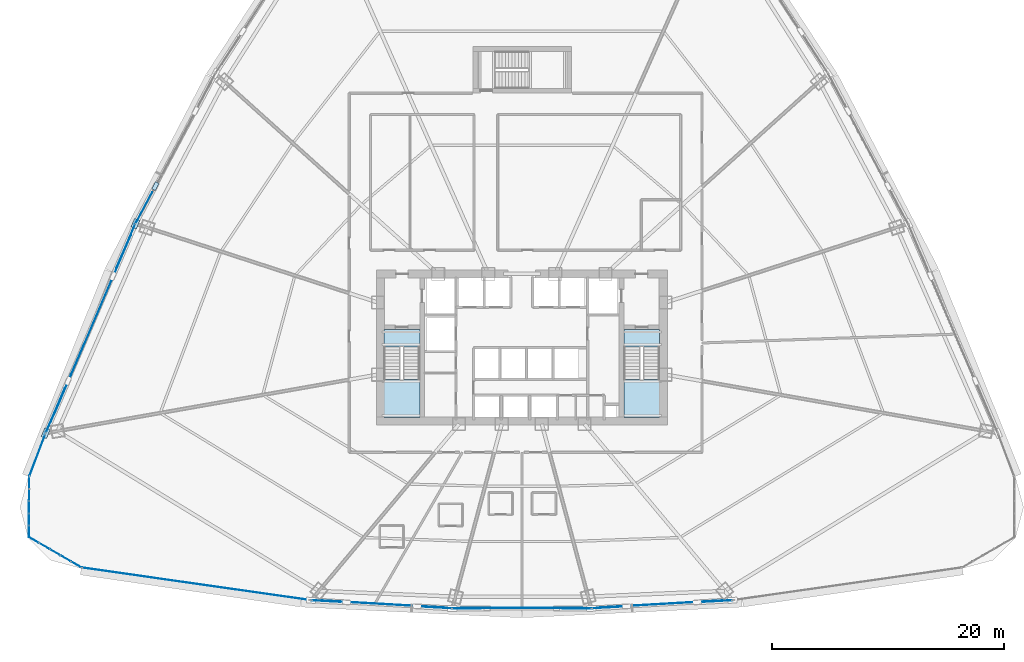
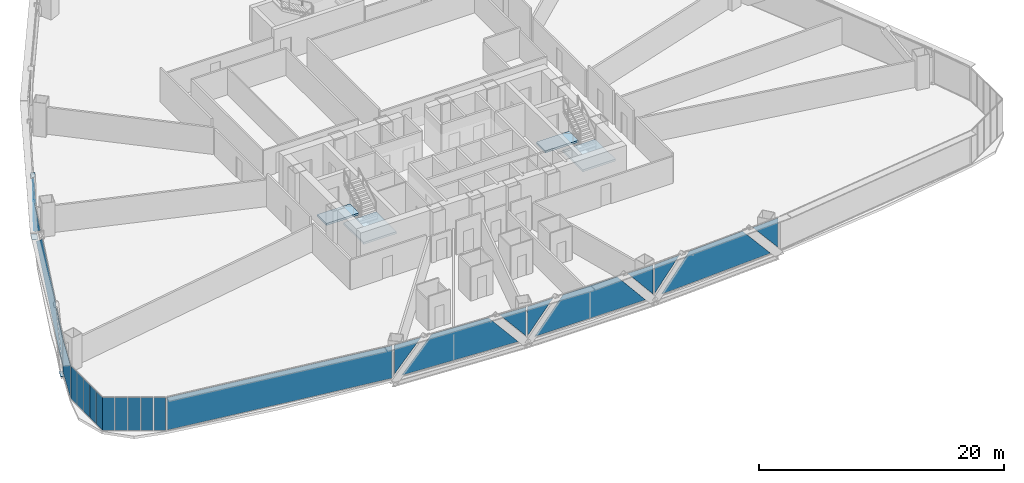
# One storey, part 29 of 41: 28 plates, 4 slabs, 11 elements without a shape of their own.
"""IFC4 building model written with IfcOpenShell, lengths in metres."""

from ifc_helpers import new_model, si_unit, direction, frame, origin, origin_2d, place, context, subcontext, project, spatial, polyline, rectangle, outline, extrude, source, transform, mapped, material, layer, layer_set, type_object, element, aggregate, save


model = new_model("IFC4")

# Units and contexts
model_context = context("Model", 3, precision=1e-05, world=origin(), true_north=direction((0.0, 1.0)))
body_context = subcontext(model_context, "Body", "Model", "MODEL_VIEW")
ifc_project = project(units=[si_unit("LENGTHUNIT", "METRE"), si_unit("AREAUNIT", "SQUARE_METRE"), si_unit("VOLUMEUNIT", "CUBIC_METRE"), si_unit("PLANEANGLEUNIT", "RADIAN"), si_unit("MASSUNIT", "GRAM", prefix="KILO"), si_unit("THERMODYNAMICTEMPERATUREUNIT", "KELVIN"), si_unit("POWERUNIT", "WATT")], contexts=[model_context])

# Site, building, storey
site_placement = place(None, origin())
site = spatial("IfcSite", under=ifc_project, at=site_placement, CompositionType="ELEMENT")
building_placement = place(site_placement, origin())
building = spatial("IfcBuilding", under=site, at=building_placement, Name="Yunzhuo Pagoda Commons", CompositionType="ELEMENT")
storey_placement = place(building_placement, frame((0.0, 0.0, 63.070068359375)))
storey = spatial("IfcBuildingStorey", under=building, at=storey_placement, Name="L16", CompositionType="ELEMENT", Elevation=63.070068359375)

# Curtain wall, plates
ifc_material_1 = material(Name="Anodized aluminium 6063-T6", Category="aluminium")
ifc_layer_1 = layer(ifc_material_1, 0.1650390625)
ifc_layer_set_1 = layer_set([ifc_layer_1], Name="Anodized aluminium 6063-T6")
curtain_wall_type_1 = type_object("IfcCurtainWallType", Name="CW-LOW Low-Zone Ribbon Curtain Wall", PredefinedType="NOTDEFINED", material=ifc_layer_set_1)
curtain_wall_1_placement = place(storey_placement, origin())
curtain_wall_1 = element("IfcCurtainWall", 1, at=curtain_wall_1_placement, inside=storey, type_object=curtain_wall_type_1, Name="L16 curtain wall CW-L16-F1B2", PredefinedType="NOTDEFINED")
ifc_material_2 = material(Name="Tempered low-e double glazing", Category="glass")
ifc_layer_2 = layer(ifc_material_2, 0.028076171875)
ifc_layer_set_2 = layer_set([ifc_layer_2], Name="Tempered low-e double glazing")
plate_type_1 = type_object("IfcPlateType", Name="CW-LOW-P Low-E Double Glazing 28", PredefinedType="CURTAIN_PANEL", material=ifc_layer_set_2)
plate_1_placement = place(storey_placement, frame((31.108154296875, 11.97998046875, 1.85888671875), z_axis=(-0.057542190557, -0.998343075454, 0.0), x_axis=(0.998343075454, -0.057542190557, 0.0)))
plate_1 = element("IfcPlate", 2, at=plate_1_placement, type_object=plate_type_1, Name="CW panel 1.1 lite 1", PredefinedType="CURTAIN_PANEL", context=body_context, shape_type="SweptSolid", body=[
    extrude(outline(polyline([(-1.219482421875, -1.450927734375), (1.219482421875, 1.450927734375), (-1.219482421875, 1.450927734375), (-1.219482421875, -1.450927734375)])), origin(), (0.0, 0.0, 1.0), 0.028076171875),
])
plate_2_placement = place(storey_placement, frame((35.9189453125, 11.73291015625, 1.684814453125), z_axis=(-0.057542190557, -0.998343075454, 0.0), x_axis=(0.998343075454, -0.057542190557, 0.0)))
plate_2 = element("IfcPlate", 3, at=plate_2_placement, type_object=plate_type_1, Name="CW panel 1.1 lite 2", PredefinedType="CURTAIN_PANEL", context=body_context, shape_type="SweptSolid", body=[
    extrude(outline(polyline([(-5.336181640625, -1.625), (5.336181640625, -1.625), (2.60498046875, 1.625), (-2.60498046875, 1.625), (-5.336181640625, -1.625)])), origin(), (0.0, 0.0, 1.0), 0.028076171875),
])
plate_3_placement = place(storey_placement, frame((40.7265625, 11.425537109375, 1.85888671875), z_axis=(-0.057542190557, -0.998343075454, 0.0), x_axis=(0.998343075454, -0.057542190557, 0.0)))
plate_3 = element("IfcPlate", 4, at=plate_3_placement, type_object=plate_type_1, Name="CW panel 1.1 lite 3", PredefinedType="CURTAIN_PANEL", context=body_context, shape_type="SweptSolid", body=[
    extrude(outline(polyline([(-1.219482421875, 1.450927734375), (1.219482421875, -1.450927734375), (1.219482421875, 1.450927734375), (-1.219482421875, 1.450927734375)])), origin(), (0.0, 0.0, 1.0), 0.028076171875),
])
aggregate(curtain_wall_1, [plate_1, plate_2, plate_3])

curtain_wall_2_placement = place(storey_placement, origin())
curtain_wall_2 = element("IfcCurtainWall", 5, at=curtain_wall_2_placement, inside=storey, type_object=curtain_wall_type_1, Name="L16 curtain wall CW-L16-F1B3", PredefinedType="NOTDEFINED")
plate_4_placement = place(storey_placement, frame((43.267333984375, 11.35205078125, 1.86279296875), z_axis=(0.0, -1.0, 0.0), x_axis=(1.0, 0.0, 0.0)))
plate_4 = element("IfcPlate", 6, at=plate_4_placement, type_object=plate_type_1, Name="CW panel 1.1 lite 1", PredefinedType="CURTAIN_PANEL", context=body_context, shape_type="SweptSolid", body=[
    extrude(outline(polyline([(-1.1943359375, -1.447265625), (1.1943359375, 1.447021484375), (-1.1943359375, 1.447021484375), (-1.1943359375, -1.447265625)])), origin(), (0.0, 0.0, 1.0), 0.028076171875),
])
plate_5_placement = place(storey_placement, frame((48.0, 11.3818359375, 1.684814453125), z_axis=(0.0, -1.0, 0.0), x_axis=(1.0, 0.0, 0.0)))
plate_5 = element("IfcPlate", 7, at=plate_5_placement, type_object=plate_type_1, Name="CW panel 1.1 lite 2", PredefinedType="CURTAIN_PANEL", context=body_context, shape_type="SweptSolid", body=[
    extrude(outline(polyline([(-5.235107421875, -1.625), (5.235107421875, -1.625), (2.552734375, 1.625), (-2.552734375, 1.625), (-5.235107421875, -1.625)])), origin(), (0.0, 0.0, 1.0), 0.028076171875),
])
plate_6_placement = place(storey_placement, frame((52.732666015625, 11.35205078125, 1.86279296875), z_axis=(0.0, -1.0, 0.0), x_axis=(1.0, 0.0, 0.0)))
plate_6 = element("IfcPlate", 8, at=plate_6_placement, type_object=plate_type_1, Name="CW panel 1.1 lite 3", PredefinedType="CURTAIN_PANEL", context=body_context, shape_type="SweptSolid", body=[
    extrude(outline(polyline([(-1.1943359375, 1.447021484375), (1.1943359375, -1.447265625), (1.1943359375, 1.447021484375), (-1.1943359375, 1.447021484375)])), origin(), (0.0, 0.0, 1.0), 0.028076171875),
])
aggregate(curtain_wall_2, [plate_4, plate_5, plate_6])

curtain_wall_3_placement = place(storey_placement, origin())
curtain_wall_3 = element("IfcCurtainWall", 9, at=curtain_wall_3_placement, inside=storey, type_object=curtain_wall_type_1, Name="L16 curtain wall CW-L16-F1B4", PredefinedType="NOTDEFINED")
plate_7_placement = place(storey_placement, frame((55.2734375, 11.425537109375, 1.85888671875), z_axis=(0.057542190557, -0.998343075454, 0.0), x_axis=(0.998343075454, 0.057542190557, 0.0)))
plate_7 = element("IfcPlate", 10, at=plate_7_placement, type_object=plate_type_1, Name="CW panel 1.1 lite 1", PredefinedType="CURTAIN_PANEL", context=body_context, shape_type="SweptSolid", body=[
    extrude(outline(polyline([(-1.219482421875, -1.450927734375), (1.219482421875, 1.450927734375), (-1.219482421875, 1.450927734375), (-1.219482421875, -1.450927734375)])), origin(), (0.0, 0.0, 1.0), 0.028076171875),
])
plate_8_placement = place(storey_placement, frame((60.0810546875, 11.73291015625, 1.684814453125), z_axis=(0.057542190557, -0.998343075454, 0.0), x_axis=(0.998343075454, 0.057542190557, 0.0)))
plate_8 = element("IfcPlate", 11, at=plate_8_placement, type_object=plate_type_1, Name="CW panel 1.1 lite 2", PredefinedType="CURTAIN_PANEL", context=body_context, shape_type="SweptSolid", body=[
    extrude(outline(polyline([(-5.336181640625, -1.625), (5.336181640625, -1.625), (2.604736328125, 1.625), (-2.60498046875, 1.625), (-5.336181640625, -1.625)])), origin(), (0.0, 0.0, 1.0), 0.028076171875),
])
plate_9_placement = place(storey_placement, frame((64.891845703125, 11.97998046875, 1.85888671875), z_axis=(0.057542190557, -0.998343075454, 0.0), x_axis=(0.998343075454, 0.057542190557, 0.0)))
plate_9 = element("IfcPlate", 12, at=plate_9_placement, type_object=plate_type_1, Name="CW panel 1.1 lite 3", PredefinedType="CURTAIN_PANEL", context=body_context, shape_type="SweptSolid", body=[
    extrude(outline(polyline([(-1.219482421875, 1.450927734375), (1.219482421875, -1.450927734375), (1.219482421875, 1.450927734375), (-1.219482421875, 1.450927734375)])), origin(), (0.0, 0.0, 1.0), 0.028076171875),
])
aggregate(curtain_wall_3, [plate_7, plate_8, plate_9])

# Curtain wall, plate
curtain_wall_4_placement = place(storey_placement, origin())
curtain_wall_4 = element("IfcCurtainWall", 13, at=curtain_wall_4_placement, inside=storey, type_object=curtain_wall_type_1, Name="L16 curtain wall CW-L16-F3B3", PredefinedType="NOTDEFINED")
plate_10_placement = place(storey_placement, frame((15.41552734375, 45.908447265625, 1.82421875), z_axis=(-0.882636758547, 0.470055690808, 0.0), x_axis=(-0.470055690808, -0.882636758547, 0.0)))
plate_10 = element("IfcPlate", 14, at=plate_10_placement, type_object=plate_type_1, Name="CW panel 1.1 lite 3", PredefinedType="CURTAIN_PANEL", context=body_context, shape_type="SweptSolid", body=[
    extrude(outline(polyline([(-1.503173828125, 1.485595703125), (1.503173828125, -1.48583984375), (1.503173828125, 1.485595703125), (-1.503173828125, 1.485595703125)])), origin(), (0.0, 0.0, 1.0), 0.028076171875),
])
aggregate(curtain_wall_4, [plate_10])

# Curtain wall, plates
curtain_wall_5_placement = place(storey_placement, origin())
curtain_wall_5 = element("IfcCurtainWall", 15, at=curtain_wall_5_placement, inside=storey, type_object=curtain_wall_type_1, Name="L16 curtain wall CW-L16-F3B4", PredefinedType="NOTDEFINED")
plate_11_placement = place(storey_placement, frame((13.839599609375, 42.5673828125, 1.78515625), z_axis=(-0.919121093161, 0.39397514656, 0.0), x_axis=(-0.39397514656, -0.919121093161, 0.0)))
plate_11 = element("IfcPlate", 16, at=plate_11_placement, type_object=plate_type_1, Name="CW panel 1.1 lite 1", PredefinedType="CURTAIN_PANEL", context=body_context, shape_type="SweptSolid", body=[
    extrude(outline(polyline([(-2.065185546875, -1.52490234375), (2.065185546875, 1.52490234375), (-2.065185546875, 1.52490234375), (-2.065185546875, -1.52490234375)])), origin(), (0.0, 0.0, 1.0), 0.028076171875),
])
plate_12_placement = place(storey_placement, frame((10.83251953125, 35.47607421875, 1.684814453125), z_axis=(-0.919121093161, 0.39397514656, 0.0), x_axis=(-0.39397514656, -0.919121093161, 0.0)))
plate_12 = element("IfcPlate", 17, at=plate_12_placement, type_object=plate_type_1, Name="CW panel 1.1 lite 2", PredefinedType="CURTAIN_PANEL", context=body_context, shape_type="SweptSolid", body=[
    extrude(outline(polyline([(-8.759521484375, -1.625), (8.759521484375, -1.625), (4.35791015625, 1.625), (-4.35791015625, 1.625), (-8.759521484375, -1.625)])), origin(), (0.0, 0.0, 1.0), 0.028076171875),
])
plate_13_placement = place(storey_placement, frame((7.7705078125, 28.408447265625, 1.78515625), z_axis=(-0.919121093161, 0.39397514656, 0.0), x_axis=(-0.39397514656, -0.919121093161, 0.0)))
plate_13 = element("IfcPlate", 18, at=plate_13_placement, type_object=plate_type_1, Name="CW panel 1.1 lite 3", PredefinedType="CURTAIN_PANEL", context=body_context, shape_type="SweptSolid", body=[
    extrude(outline(polyline([(-2.065185546875, 1.52490234375), (2.065185546875, -1.52490234375), (2.065185546875, 1.52490234375), (-2.065185546875, 1.52490234375)])), origin(), (0.0, 0.0, 1.0), 0.028076171875),
])
aggregate(curtain_wall_5, [plate_11, plate_12, plate_13])

# Stair, slabs
ifc_material_3 = material(Name="Concrete C40", Category="concrete")
stair_type_1 = type_object("IfcStairType", Name="ST-C1 Core Smokeproof Stair ST1", PredefinedType="HALF_TURN_STAIR", material=ifc_material_3)
stair_1_placement = place(storey_placement, origin())
stair_1 = element("IfcStair", 19, at=stair_1_placement, inside=storey, type_object=stair_type_1, Name="L16 Core smokeproof stair ST1", PredefinedType="HALF_TURN_STAIR")
ifc_layer_3 = layer(ifc_material_3, 0.199951171875)
ifc_layer_set_3 = layer_set([ifc_layer_3], Name="Concrete C40")
slab_type_1 = type_object("IfcSlabType", Name="SL-LND1 Stair Landing Slab 200", PredefinedType="LANDING", material=ifc_layer_set_3)
slab_1_placement = place(storey_placement, frame((0.0, 0.0, 1.614990234375)))
slab_1 = element("IfcSlab", 20, at=slab_1_placement, type_object=slab_type_1, Name="ST1 landing 1", PredefinedType="LANDING", context=body_context, shape_type="SweptSolid", body=[
    extrude(outline(polyline([(36.10009765625, 31.10009765625), (36.10009765625, 27.800048828125), (39.199951171875, 27.800048828125), (39.199951171875, 31.10009765625), (36.10009765625, 31.10009765625)])), origin(), (0.0, 0.0, 1.0), 0.199951171875),
])
slab_2_placement = place(storey_placement, frame((0.0, 0.0, -0.199951171875)))
slab_2 = element("IfcSlab", 21, at=slab_2_placement, type_object=slab_type_1, Name="ST1 floor landing L16", PredefinedType="LANDING", context=body_context, shape_type="SweptSolid", body=[
    extrude(outline(polyline([(36.10009765625, 35.39990234375), (36.10009765625, 33.89990234375), (39.199951171875, 33.89990234375), (39.199951171875, 35.39990234375), (36.10009765625, 35.39990234375)])), origin(), (0.0, 0.0, 1.0), 0.199951171875),
])
aggregate(stair_1, [slab_1, slab_2])

stair_type_2 = type_object("IfcStairType", Name="ST-C2 Core Smokeproof Stair ST2", PredefinedType="HALF_TURN_STAIR", material=ifc_material_3)
stair_2_placement = place(storey_placement, origin())
stair_2 = element("IfcStair", 22, at=stair_2_placement, inside=storey, type_object=stair_type_2, Name="L16 Core smokeproof stair ST2", PredefinedType="HALF_TURN_STAIR")
ifc_layer_4 = layer(ifc_material_3, 0.201904296875)
ifc_layer_set_4 = layer_set([ifc_layer_4], Name="Concrete C40")
slab_type_2 = type_object("IfcSlabType", Name="SL-LND2 Stair Landing Slab 202", PredefinedType="LANDING", material=ifc_layer_set_4)
slab_3_placement = place(storey_placement, frame((0.0, 0.0, 1.614990234375)))
slab_3 = element("IfcSlab", 23, at=slab_3_placement, type_object=slab_type_2, Name="ST2 landing 1", PredefinedType="LANDING", context=body_context, shape_type="SweptSolid", body=[
    extrude(outline(polyline([(56.800048828125, 31.10009765625), (56.800048828125, 27.800048828125), (59.89990234375, 27.800048828125), (59.89990234375, 31.10009765625), (56.800048828125, 31.10009765625)])), origin(), (0.0, 0.0, 1.0), 0.199951171875),
])
slab_4_placement = place(storey_placement, frame((0.0, 0.0, -0.199951171875)))
slab_4 = element("IfcSlab", 24, at=slab_4_placement, type_object=slab_type_2, Name="ST2 floor landing L16", PredefinedType="LANDING", context=body_context, shape_type="SweptSolid", body=[
    extrude(outline(polyline([(56.800048828125, 35.39990234375), (56.800048828125, 33.89990234375), (59.89990234375, 33.89990234375), (59.89990234375, 35.39990234375), (56.800048828125, 35.39990234375)])), origin(), (0.0, 0.0, 1.0), 0.199951171875),
])
aggregate(stair_2, [slab_3, slab_4])

# Plates
ifc_material_4 = material(Name="Structural steel Q355B", Category="steel")
ifc_layer_5 = layer(ifc_material_4, 0.028076171875)
ifc_layer_set_5 = layer_set([ifc_layer_5], Name="Structural steel Q355B")
plate_type_2 = type_object("IfcPlateType", Name="SP-ND1 Lattice Node Cap Plate 800x500x28", PredefinedType="USERDEFINED", material=ifc_layer_set_5)
shared_shape_1 = source(origin(), body_context, "Body", "SweptSolid", [
    extrude(rectangle(XDim=0.800048828125, YDim=0.5, at=origin_2d()), origin(), (0.0, 0.0, 1.0), 0.028076171875),
])
for number, where, z_axis, x_axis, name in (
    (25, (14.666015625, 44.531005859375, -0.27392578125), (0.0, 0.0, 1.0), (-0.393973993227, -0.91912158753, 0.0), "L16 diamond node plate F3.3A"),
    (26, (6.918212890625, 26.456298828125, -0.27392578125), (0.0, 0.0, 1.0), (-0.393973993227, -0.91912158753, 0.0), "L16 diamond node plate F3.3B"),
):
    element("IfcPlate", number, at=place(storey_placement, frame(where, z_axis=z_axis, x_axis=x_axis)), inside=storey, type_object=plate_type_2, Name=name, ObjectType="STIFFENER_PLATE", PredefinedType="USERDEFINED", context=body_context, shape_type="MappedRepresentation", body=[
        mapped(shared_shape_1, transform((0.0, 0.0, 0.0), scale=1.0)),
    ])
shared_shape_2 = source(origin(), body_context, "Body", "SweptSolid", [
    extrude(rectangle(XDim=0.699951171875, YDim=0.35009765625, at=origin_2d()), origin(), (0.0, 0.0, 1.0), 0.035888671875),
])
plate_14_placement = place(storey_placement, frame((16.39208984375, 47.7724609375, 3.33203125), z_axis=(0.0, 0.0, 1.0), x_axis=(-0.47005705251, -0.88263603336, 0.0)))
element("IfcPlate", 27, at=plate_14_placement, inside=storey, type_object=plate_type_2, Name="L16 setback lattice tie plate F3.2R", ObjectType="STIFFENER_PLATE", PredefinedType="USERDEFINED", context=body_context, shape_type="MappedRepresentation", body=[
    mapped(shared_shape_2, transform((0.0, 0.0, 0.0), scale=1.0)),
])

# Curtain wall, plate
curtain_wall_6_placement = place(storey_placement, origin())
curtain_wall_6 = element("IfcCurtainWall", 28, at=curtain_wall_6_placement, inside=storey, type_object=curtain_wall_type_1, Name="L16 curtain wall CW-L16-F1B1", PredefinedType="NOTDEFINED")
shared_shape_3 = source(origin(), body_context, "Body", "SweptSolid", [
    extrude(rectangle(XDim=19.814697265625, YDim=0.028076171875, at=origin_2d()), origin(), (0.0, 0.0, 1.0), 3.25),
])
plate_15_placement = place(storey_placement, frame((19.87841796875, 13.4580078125, 0.059814453125), z_axis=(0.0, 0.0, 1.0), x_axis=(0.989989664719, -0.141139872999, 0.0)))
plate_15 = element("IfcPlate", 29, at=plate_15_placement, type_object=plate_type_1, Name="CW panel 1.1", PredefinedType="CURTAIN_PANEL", context=body_context, shape_type="MappedRepresentation", body=[
    mapped(shared_shape_3, transform((0.0, 0.0, 0.0), scale=1.0)),
])
aggregate(curtain_wall_6, [plate_15])

curtain_wall_7_placement = place(storey_placement, origin())
curtain_wall_7 = element("IfcCurtainWall", 30, at=curtain_wall_7_placement, inside=storey, type_object=curtain_wall_type_1, Name="L16 curtain wall CW-L16-F3B5", PredefinedType="NOTDEFINED")
shared_shape_4 = source(origin(), body_context, "Body", "SweptSolid", [
    extrude(rectangle(XDim=3.80126953125, YDim=0.028076171875, at=origin_2d()), origin(), (0.0, 0.0, 1.0), 3.25),
])
plate_16_placement = place(storey_placement, frame((6.197265625, 24.547119140625, 0.059814453125), z_axis=(0.0, 0.0, 1.0), x_axis=(-0.353291245367, -0.9355133863, 0.0)))
plate_16 = element("IfcPlate", 31, at=plate_16_placement, type_object=plate_type_1, Name="CW panel 1.1", PredefinedType="CURTAIN_PANEL", context=body_context, shape_type="MappedRepresentation", body=[
    mapped(shared_shape_4, transform((0.0, 0.0, 0.0), scale=1.0)),
])
aggregate(curtain_wall_7, [plate_16])

# Curtain wall, plates
ifc_layer_6 = layer(ifc_material_1, 0.1298828125)
ifc_layer_set_6 = layer_set([ifc_layer_6], Name="Anodized aluminium 6063-T6")
curtain_wall_type_2 = type_object("IfcCurtainWallType", Name="CW-VTX Rounded Corner Curtain Wall", PredefinedType="NOTDEFINED", material=ifc_layer_set_6)
curtain_wall_8_placement = place(storey_placement, origin())
curtain_wall_8 = element("IfcCurtainWall", 32, at=curtain_wall_8_placement, inside=storey, type_object=curtain_wall_type_2, Name="L16 curtain wall CW-L16-VTX1S1", PredefinedType="NOTDEFINED")
ifc_layer_7 = layer(ifc_material_2, 0.02587890625)
ifc_layer_set_7 = layer_set([ifc_layer_7], Name="Tempered low-e double glazing")
plate_type_3 = type_object("IfcPlateType", Name="CW-VTX-P Low-E Double Glazing 26", PredefinedType="CURTAIN_PANEL", material=ifc_layer_set_7)
shared_shape_5 = source(origin(), body_context, "Body", "SweptSolid", [
    extrude(rectangle(XDim=0.9716796875, YDim=0.028076171875, at=origin_2d()), origin(), (0.0, 0.0, 1.0), 3.260009765625),
])
plate_17_placement = place(storey_placement, frame((5.5009765625, 22.167236328125, 0.0546875), z_axis=(0.0, 0.0, 1.0), x_axis=(-0.003585566294, -0.999993571837, 0.0)))
plate_17 = element("IfcPlate", 33, at=plate_17_placement, type_object=plate_type_3, Name="CW panel 1.1", PredefinedType="CURTAIN_PANEL", context=body_context, shape_type="MappedRepresentation", body=[
    mapped(shared_shape_5, transform((0.0, 0.0, 0.0), scale=1.0)),
])
plate_18_placement = place(storey_placement, frame((5.48583984375, 17.97802734375, 0.0546875), z_axis=(0.0, 0.0, 1.0), x_axis=(-0.003585566294, -0.999993571837, 0.0)))
plate_18 = element("IfcPlate", 34, at=plate_18_placement, type_object=plate_type_3, Name="CW panel 5.1", PredefinedType="CURTAIN_PANEL", context=body_context, shape_type="MappedRepresentation", body=[
    mapped(shared_shape_5, transform((0.0, 0.0, 0.0), scale=1.0)),
])

curtain_wall_9_placement = place(storey_placement, origin())
curtain_wall_9 = element("IfcCurtainWall", 35, at=curtain_wall_9_placement, inside=storey, type_object=curtain_wall_type_2, Name="L16 curtain wall CW-L16-VTX1S2", PredefinedType="NOTDEFINED")
plate_19_placement = place(storey_placement, frame((5.912109375, 17.235595703125, 0.0546875), z_axis=(0.0, 0.0, 1.0), x_axis=(0.865424986596, -0.501038514064, 0.0)))
plate_19 = element("IfcPlate", 36, at=plate_19_placement, type_object=plate_type_3, Name="CW panel 1.1", PredefinedType="CURTAIN_PANEL", context=body_context, shape_type="MappedRepresentation", body=[
    mapped(shared_shape_5, transform((0.0, 0.0, 0.0), scale=1.0)),
])
plate_20_placement = place(storey_placement, frame((9.537841796875, 15.136474609375, 0.0546875), z_axis=(0.0, 0.0, 1.0), x_axis=(0.865424986596, -0.501038514064, 0.0)))
plate_20 = element("IfcPlate", 37, at=plate_20_placement, type_object=plate_type_3, Name="CW panel 5.1", PredefinedType="CURTAIN_PANEL", context=body_context, shape_type="MappedRepresentation", body=[
    mapped(shared_shape_5, transform((0.0, 0.0, 0.0), scale=1.0)),
])

# Plate
shared_shape_6 = source(origin(), body_context, "Body", "SweptSolid", [
    extrude(rectangle(XDim=0.999267578125, YDim=0.028076171875, at=origin_2d()), origin(), (0.0, 0.0, 1.0), 3.260009765625),
])
plate_21_placement = place(storey_placement, frame((5.497314453125, 21.126953125, 0.0546875), z_axis=(0.0, 0.0, 1.0), x_axis=(-0.003585566294, -0.999993571837, 0.0)))
plate_21 = element("IfcPlate", 38, at=plate_21_placement, type_object=plate_type_3, Name="CW panel 2.1", PredefinedType="CURTAIN_PANEL", context=body_context, shape_type="MappedRepresentation", body=[
    mapped(shared_shape_6, transform((0.0, 0.0, 0.0), scale=1.0)),
])

plate_22_placement = place(storey_placement, frame((5.493408203125, 20.07275390625, 0.0546875), z_axis=(0.0, 0.0, 1.0), x_axis=(-0.003585566294, -0.999993571837, 0.0)))
plate_22 = element("IfcPlate", 39, at=plate_22_placement, type_object=plate_type_3, Name="CW panel 3.1", PredefinedType="CURTAIN_PANEL", context=body_context, shape_type="MappedRepresentation", body=[
    mapped(shared_shape_6, transform((0.0, 0.0, 0.0), scale=1.0)),
])

plate_23_placement = place(storey_placement, frame((5.48974609375, 19.018310546875, 0.0546875), z_axis=(0.0, 0.0, 1.0), x_axis=(-0.003585566294, -0.999993571837, 0.0)))
plate_23 = element("IfcPlate", 40, at=plate_23_placement, type_object=plate_type_3, Name="CW panel 4.1", PredefinedType="CURTAIN_PANEL", context=body_context, shape_type="MappedRepresentation", body=[
    mapped(shared_shape_6, transform((0.0, 0.0, 0.0), scale=1.0)),
])

aggregate(curtain_wall_8, [plate_17, plate_21, plate_22, plate_23, plate_18])

plate_24_placement = place(storey_placement, frame((6.8125, 16.71435546875, 0.0546875), z_axis=(0.0, 0.0, 1.0), x_axis=(0.865424986596, -0.501038514064, 0.0)))
plate_24 = element("IfcPlate", 41, at=plate_24_placement, type_object=plate_type_3, Name="CW panel 2.1", PredefinedType="CURTAIN_PANEL", context=body_context, shape_type="MappedRepresentation", body=[
    mapped(shared_shape_6, transform((0.0, 0.0, 0.0), scale=1.0)),
])

plate_25_placement = place(storey_placement, frame((7.724853515625, 16.18603515625, 0.0546875), z_axis=(0.0, 0.0, 1.0), x_axis=(0.865424986596, -0.501038514064, 0.0)))
plate_25 = element("IfcPlate", 42, at=plate_25_placement, type_object=plate_type_3, Name="CW panel 3.1", PredefinedType="CURTAIN_PANEL", context=body_context, shape_type="MappedRepresentation", body=[
    mapped(shared_shape_6, transform((0.0, 0.0, 0.0), scale=1.0)),
])

plate_26_placement = place(storey_placement, frame((8.63720703125, 15.657958984375, 0.0546875), z_axis=(0.0, 0.0, 1.0), x_axis=(0.865424986596, -0.501038514064, 0.0)))
plate_26 = element("IfcPlate", 43, at=plate_26_placement, type_object=plate_type_3, Name="CW panel 4.1", PredefinedType="CURTAIN_PANEL", context=body_context, shape_type="MappedRepresentation", body=[
    mapped(shared_shape_6, transform((0.0, 0.0, 0.0), scale=1.0)),
])

aggregate(curtain_wall_9, [plate_19, plate_24, plate_25, plate_26, plate_20])

save(model, "model.ifc")
